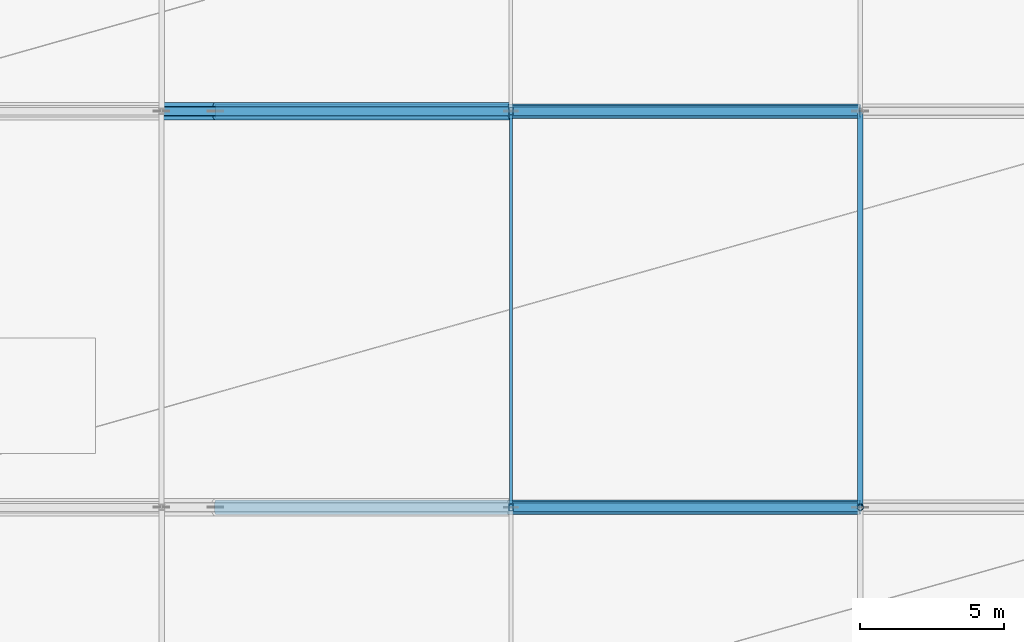
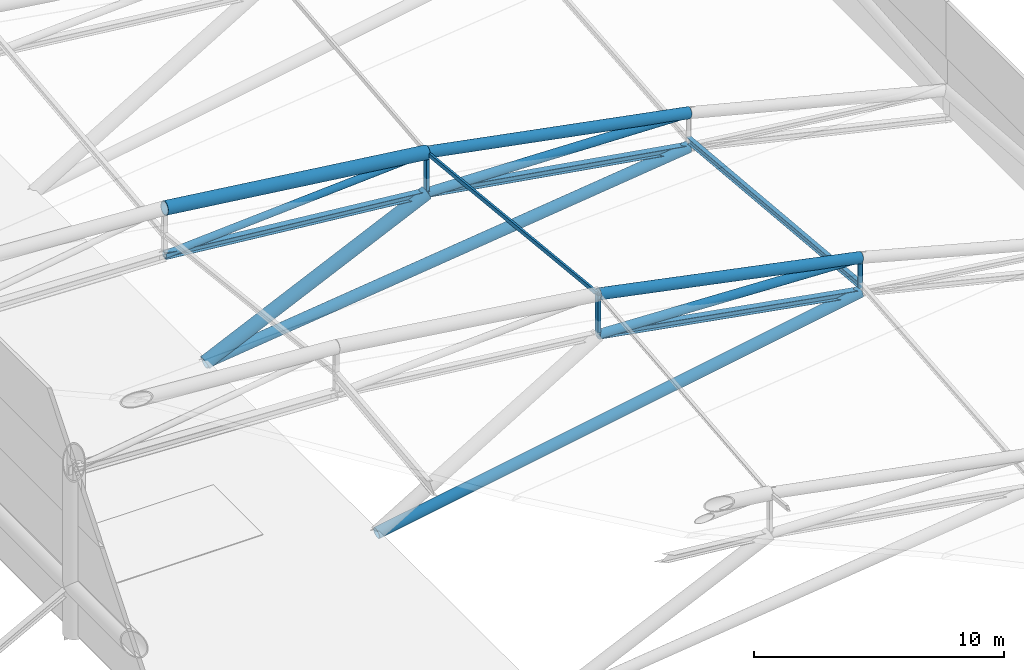
# One storey, part 17 of 36: 17 members.
"""IFC4 building model written with IfcOpenShell, lengths in metres."""

from ifc_helpers import new_model, si_unit, direction, frame, origin, origin_2d, place, context, subcontext, project, spatial, hollow_rectangle, hollow_circle, i_section, extrude, material, material_profile, profile_set, type_object, element, save


model = new_model("IFC4")

# Units and contexts
model_context = context("Model", 3, precision=1e-05, world=origin(), true_north=direction((0.0, 1.0)))
body_context = subcontext(model_context, "Body", "Model", "MODEL_VIEW")
ifc_project = project(units=[si_unit("LENGTHUNIT", "METRE"), si_unit("AREAUNIT", "SQUARE_METRE"), si_unit("VOLUMEUNIT", "CUBIC_METRE"), si_unit("PLANEANGLEUNIT", "RADIAN"), si_unit("MASSUNIT", "GRAM", prefix="KILO")], contexts=[model_context])

# Site, building, storey
site_placement = place(None, origin())
site = spatial("IfcSite", under=ifc_project, at=site_placement, CompositionType="ELEMENT")
building_placement = place(site_placement, origin())
building = spatial("IfcBuilding", under=site, at=building_placement, Name="Linyun Crest Stadium", CompositionType="ELEMENT")
storey_placement = place(building_placement, frame((0.0, 0.0, 31.60009765625)))
storey = spatial("IfcBuildingStorey", under=building, at=storey_placement, Name="RF", CompositionType="ELEMENT", Elevation=31.60009765625)

# Members
ifc_material_1 = material(Name="Steel Q355C", Category="steel")
ifc_material_profile_1 = material_profile(ifc_material_1, hollow_rectangle(XDim=0.10009765625, YDim=0.199951171875, WallThickness=0.008056640625, at=origin_2d()), Name="RHS 200x100x8")
ifc_profile_set_1 = profile_set([ifc_material_profile_1], Name="Steel Q355C")
member_type_1 = type_object("IfcMemberType", Name="AR02", PredefinedType="USERDEFINED", material=ifc_profile_set_1)
member_1_placement = place(storey_placement, frame((-59.75, 2.125, 7.8759765625), z_axis=(0.0, 0.994841166463, -0.101444829883), x_axis=(-1.0, 0.0, 0.0)))
element("IfcMember", 1, at=member_1_placement, inside=storey, type_object=member_type_1, Name="Art Nouveau canopy arch rib AR02 V1 172", ObjectType="ARCH RIB", PredefinedType="USERDEFINED", context=body_context, shape_type="SweptSolid", body=[
    extrude(hollow_rectangle(XDim=0.10009765625, YDim=0.199951171875, WallThickness=0.008056640625, at=origin_2d()), origin(), (0.0, 0.0, 1.0), 13.8212890625),
])
ifc_material_2 = material(Name="Steel Q355B", Category="steel")
ifc_material_profile_2 = material_profile(ifc_material_2, i_section(OverallWidth=0.199951171875, OverallDepth=0.2939453125, WebThickness=0.008056640625, FlangeThickness=0.011962890625, at=origin_2d()), Name="HM 294x200")
ifc_profile_set_2 = profile_set([ifc_material_profile_2], Name="Steel Q355B")
member_type_2 = type_object("IfcMemberType", Name="PR06", PredefinedType="PURLIN", material=ifc_profile_set_2)
member_2_placement = place(storey_placement, frame((-47.625, 2.125, 4.10791015625), z_axis=(0.0, 0.995867658033, -0.090816340406), x_axis=(-1.0, 0.0, 0.0)))
element("IfcMember", 2, at=member_2_placement, inside=storey, type_object=member_type_2, Name="Roof canopy purlin PR06 V1 170", PredefinedType="PURLIN", context=body_context, shape_type="SweptSolid", body=[
    extrude(i_section(OverallWidth=0.199951171875, OverallDepth=0.2939453125, WebThickness=0.008056640625, FlangeThickness=0.011962890625, at=origin_2d()), origin(), (0.0, 0.0, 1.0), 13.80712890625),
])
ifc_material_3 = material(Name="Steel Q420C", Category="steel")
ifc_material_profile_3 = material_profile(ifc_material_3, hollow_circle(Radius=0.25390625, WallThickness=0.02490234375, at=origin_2d()), Name="CHS 508x25")
ifc_profile_set_3 = profile_set([ifc_material_profile_3], Name="Steel Q420C")
member_type_3 = type_object("IfcMemberType", Name="TC01", PredefinedType="CHORD", material=ifc_profile_set_3)
member_3_placement = place(storey_placement, frame((-59.75, 2.125, 7.8759765625), z_axis=(0.980014256524, 0.0, -0.198927265625), x_axis=(0.0, 1.0, 0.0)))
element("IfcMember", 3, at=member_3_placement, inside=storey, type_object=member_type_3, Name="Roof truss top chord TC01 V1 86", PredefinedType="CHORD", context=body_context, shape_type="SweptSolid", body=[
    extrude(hollow_circle(Radius=0.25390625, WallThickness=0.02490234375, at=origin_2d()), origin(), (0.0, 0.0, 1.0), 12.372314453125),
])
member_4_placement = place(storey_placement, frame((-70.0, 2.125, -0.235107421875), z_axis=(0.984499461643, 0.0, 0.175387599405), x_axis=(0.0, 1.0, 0.0)))
element("IfcMember", 4, at=member_4_placement, inside=storey, type_object=member_type_3, Name="Roof arch forward V-strut TC01 V1 95", PredefinedType="CHORD", context=body_context, shape_type="SweptSolid", body=[
    extrude(hollow_circle(Radius=0.25390625, WallThickness=0.02490234375, at=origin_2d()), origin(), (0.0, 0.0, 1.0), 22.727294921875),
])
member_5_placement = place(storey_placement, frame((-59.75, 15.875, 6.473876953125), z_axis=(0.98228694013, 0.0, -0.187382942791), x_axis=(0.0, 1.0, 0.0)))
element("IfcMember", 5, at=member_5_placement, inside=storey, type_object=member_type_3, Name="Roof truss top chord TC01 V1 105", PredefinedType="CHORD", context=body_context, shape_type="SweptSolid", body=[
    extrude(hollow_circle(Radius=0.25390625, WallThickness=0.02490234375, at=origin_2d()), origin(), (0.0, 0.0, 1.0), 12.34375),
])
member_6_placement = place(storey_placement, frame((-70.0, 15.875, -0.235107421875), z_axis=(0.992628408307, 0.0, 0.121197537196), x_axis=(0.0, 1.0, 0.0)))
element("IfcMember", 6, at=member_6_placement, inside=storey, type_object=member_type_3, Name="Roof arch forward V-strut TC01 V1 114", PredefinedType="CHORD", context=body_context, shape_type="SweptSolid", body=[
    extrude(hollow_circle(Radius=0.25390625, WallThickness=0.02490234375, at=origin_2d()), origin(), (0.0, 0.0, 1.0), 22.541259765625),
])
ifc_material_4 = material(Name="Steel Q420C", Category="steel")
ifc_material_profile_4 = material_profile(ifc_material_4, hollow_circle(Radius=0.304931640625, WallThickness=0.030029296875, at=origin_2d()), Name="CHS 610x30")
ifc_profile_set_4 = profile_set([ifc_material_profile_4], Name="Steel Q420C")
member_type_4 = type_object("IfcMemberType", Name="TC02", PredefinedType="CHORD", material=ifc_profile_set_4)
member_7_placement = place(storey_placement, frame((-71.875, 15.875, 7.98681640625), z_axis=(0.992304903458, 0.0, -0.123818328905), x_axis=(0.0, 1.0, 0.0)))
element("IfcMember", 7, at=member_7_placement, inside=storey, type_object=member_type_4, Name="Roof truss top chord TC02 V1 101", PredefinedType="CHORD", context=body_context, shape_type="SweptSolid", body=[
    extrude(hollow_circle(Radius=0.304931640625, WallThickness=0.030029296875, at=origin_2d()), origin(), (0.0, 0.0, 1.0), 12.218994140625),
])
member_8_placement = place(storey_placement, frame((-70.0, 15.875, -0.235107421875), z_axis=(0.907887218717, 0.0, 0.419214501287), x_axis=(0.0, 1.0, 0.0)))
element("IfcMember", 8, at=member_8_placement, inside=storey, type_object=member_type_4, Name="Roof arch inclined support strut TC02 V1 113", PredefinedType="CHORD", context=body_context, shape_type="SweptSolid", body=[
    extrude(hollow_circle(Radius=0.304931640625, WallThickness=0.030029296875, at=origin_2d()), origin(), (0.0, 0.0, 1.0), 11.2900390625),
])
ifc_material_5 = material(Name="Steel Q355C", Category="steel")
ifc_material_profile_5 = material_profile(ifc_material_5, i_section(OverallWidth=0.300048828125, OverallDepth=0.300048828125, WebThickness=0.010009765625, FlangeThickness=0.014892578125, at=origin_2d()), Name="HW 300x300")
ifc_profile_set_5 = profile_set([ifc_material_profile_5], Name="Steel Q355C")
member_type_5 = type_object("IfcMemberType", Name="TC03", PredefinedType="CHORD", material=ifc_profile_set_5)
member_9_placement = place(storey_placement, frame((-59.75, 2.125, 5.89990234375), z_axis=(0.984655151778, 0.0, -0.174511409591), x_axis=(0.0, 1.0, 0.0)))
element("IfcMember", 9, at=member_9_placement, inside=storey, type_object=member_type_5, Name="Roof truss bottom chord TC03 V1 87", PredefinedType="CHORD", context=body_context, shape_type="SweptSolid", body=[
    extrude(i_section(OverallWidth=0.300048828125, OverallDepth=0.300048828125, WebThickness=0.010009765625, FlangeThickness=0.014892578125, at=origin_2d()), origin(), (0.0, 0.0, 1.0), 12.31396484375),
])
member_10_placement = place(storey_placement, frame((-71.875, 15.875, 5.698974609375), z_axis=(0.995128816625, 0.0, -0.098583154353), x_axis=(0.0, 1.0, 0.0)))
element("IfcMember", 10, at=member_10_placement, inside=storey, type_object=member_type_5, Name="Roof truss bottom chord TC03 V1 102", PredefinedType="CHORD", context=body_context, shape_type="SweptSolid", body=[
    extrude(i_section(OverallWidth=0.300048828125, OverallDepth=0.300048828125, WebThickness=0.010009765625, FlangeThickness=0.014892578125, at=origin_2d()), origin(), (0.0, 0.0, 1.0), 12.184326171875),
])
member_11_placement = place(storey_placement, frame((-59.75, 15.875, 4.497802734375), z_axis=(0.986654695276, 0.0, -0.162826632621), x_axis=(0.0, 1.0, 0.0)))
element("IfcMember", 11, at=member_11_placement, inside=storey, type_object=member_type_5, Name="Roof truss bottom chord TC03 V1 106", PredefinedType="CHORD", context=body_context, shape_type="SweptSolid", body=[
    extrude(i_section(OverallWidth=0.300048828125, OverallDepth=0.300048828125, WebThickness=0.010009765625, FlangeThickness=0.014892578125, at=origin_2d()), origin(), (0.0, 0.0, 1.0), 12.2890625),
])
ifc_material_6 = material(Name="Steel Q355C", Category="steel")
ifc_material_profile_6 = material_profile(ifc_material_6, hollow_circle(Radius=0.16259765625, WallThickness=0.01611328125, at=origin_2d()), Name="CHS 325x16")
ifc_profile_set_6 = profile_set([ifc_material_profile_6], Name="Steel Q355C")
member_type_6 = type_object("IfcMemberType", Name="TD02", PredefinedType="BRACE", material=ifc_profile_set_6)
member_12_placement = place(storey_placement, frame((-71.875, 15.875, 5.698974609375), z_axis=(0.997964024434, 0.0, 0.063779353527), x_axis=(0.0, 1.0, 0.0)))
element("IfcMember", 12, at=member_12_placement, inside=storey, type_object=member_type_6, Name="Roof truss diagonal TD02 V1 103", PredefinedType="BRACE", context=body_context, shape_type="SweptSolid", body=[
    extrude(hollow_circle(Radius=0.16259765625, WallThickness=0.01611328125, at=origin_2d()), origin(), (0.0, 0.0, 1.0), 12.149658203125),
])
ifc_material_7 = material(Name="Steel Q420C", Category="steel")
ifc_material_profile_7 = material_profile(ifc_material_7, hollow_circle(Radius=0.202880859375, WallThickness=0.02001953125, at=origin_2d()), Name="CHS 406x20")
ifc_profile_set_7 = profile_set([ifc_material_profile_7], Name="Steel Q420C")
member_type_7 = type_object("IfcMemberType", Name="TD03", PredefinedType="BRACE", material=ifc_profile_set_7)
member_13_placement = place(storey_placement, frame((-59.75, 2.125, 5.89990234375), z_axis=(0.99920060515, 0.0, -0.03997687666), x_axis=(0.0, 1.0, 0.0)))
element("IfcMember", 13, at=member_13_placement, inside=storey, type_object=member_type_7, Name="Roof truss diagonal TD03 V1 88", PredefinedType="BRACE", context=body_context, shape_type="SweptSolid", body=[
    extrude(hollow_circle(Radius=0.202880859375, WallThickness=0.02001953125, at=origin_2d()), origin(), (0.0, 0.0, 1.0), 12.134765625),
])
member_14_placement = place(storey_placement, frame((-59.75, 15.875, 4.497802734375), z_axis=(0.999614172316, 0.0, -0.027776005916), x_axis=(0.0, 1.0, 0.0)))
element("IfcMember", 14, at=member_14_placement, inside=storey, type_object=member_type_7, Name="Roof truss diagonal TD03 V1 107", PredefinedType="BRACE", context=body_context, shape_type="SweptSolid", body=[
    extrude(hollow_circle(Radius=0.202880859375, WallThickness=0.02001953125, at=origin_2d()), origin(), (0.0, 0.0, 1.0), 12.129638671875),
])
ifc_material_8 = material(Name="Steel Q355C", Category="steel")
ifc_material_profile_8 = material_profile(ifc_material_8, hollow_circle(Radius=0.109619140625, WallThickness=0.011962890625, at=origin_2d()), Name="CHS 219x12")
ifc_profile_set_8 = profile_set([ifc_material_profile_8], Name="Steel Q355C")
member_type_8 = type_object("IfcMemberType", Name="TV01", PredefinedType="STRUT", material=ifc_profile_set_8)
member_15_placement = place(storey_placement, frame((-47.625, 2.125, 3.7509765625), z_axis=(0.0, 0.0, 1.0), x_axis=(1.0, 0.0, 0.0)))
element("IfcMember", 15, at=member_15_placement, inside=storey, type_object=member_type_8, Name="Roof vertical strut TV01 V1 93", PredefinedType="STRUT", context=body_context, shape_type="SweptSolid", body=[
    extrude(hollow_circle(Radius=0.109619140625, WallThickness=0.011962890625, at=origin_2d()), origin(), (0.0, 0.0, 1.0), 1.663818359375),
])
ifc_material_9 = material(Name="Steel Q355C", Category="steel")
ifc_material_profile_9 = material_profile(ifc_material_9, hollow_rectangle(XDim=0.14990234375, YDim=0.25, WallThickness=0.010009765625, at=origin_2d()), Name="RHS 250x150x10")
ifc_profile_set_9 = profile_set([ifc_material_profile_9], Name="Steel Q355C")
member_type_9 = type_object("IfcMemberType", Name="TV03", PredefinedType="STRUT", material=ifc_profile_set_9)
for number, where, z_axis, x_axis, name in (
    (16, (-59.75, 2.125, 5.89990234375), (0.0, 0.0, 1.0), (1.0, 0.0, 0.0), "Roof vertical strut TV03 V1 89"),
    (17, (-59.75, 15.875, 4.497802734375), (0.0, 0.0, 1.0), (1.0, 0.0, 0.0), "Roof vertical strut TV03 V1 108"),
):
    element("IfcMember", number, at=place(storey_placement, frame(where, z_axis=z_axis, x_axis=x_axis)), inside=storey, type_object=member_type_9, Name=name, PredefinedType="STRUT", context=body_context, shape_type="SweptSolid", body=[
        extrude(hollow_rectangle(XDim=0.14990234375, YDim=0.25, WallThickness=0.010009765625, at=origin_2d()), origin(), (0.0, 0.0, 1.0), 1.97607421875),
    ])

save(model, "model.ifc")
